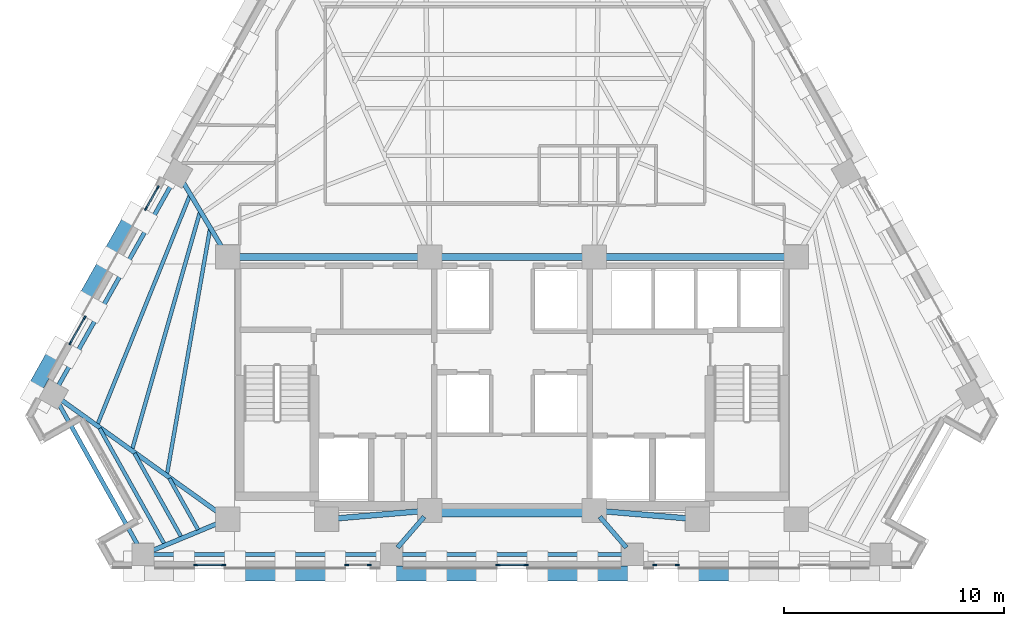
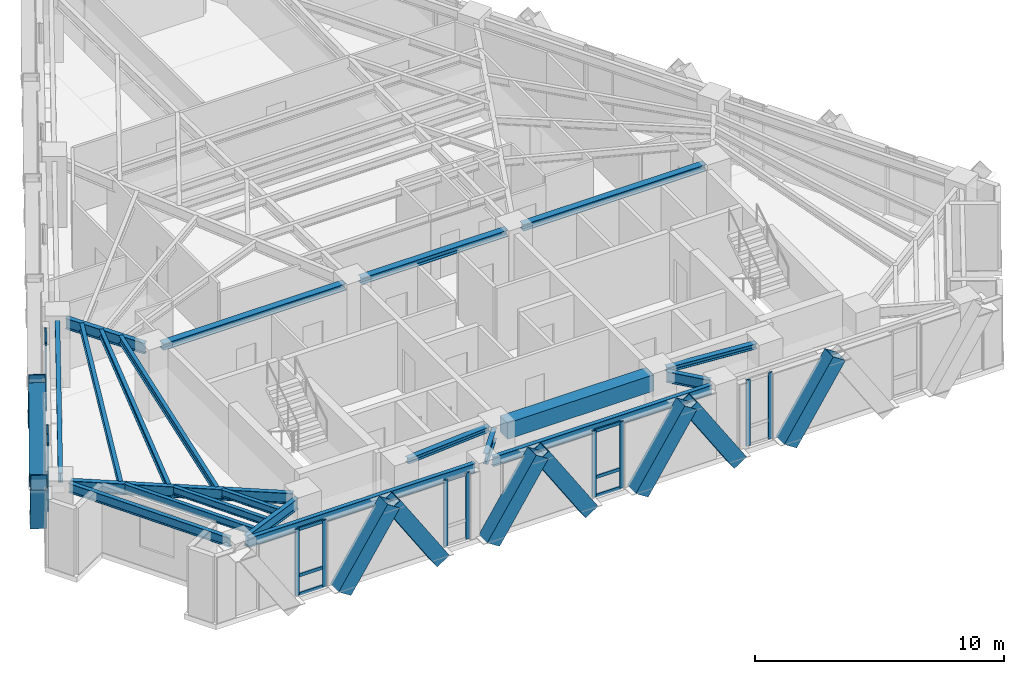
# One storey, part 2 of 13: 34 members, 21 beams, 6 elements without a shape of their own.
"""IFC4 building model written with IfcOpenShell, lengths in metres."""

import ifcopenshell
import ifcopenshell.guid

model = None  # the IFC model being written
_history = None  # IfcOwnerHistory: only IFC2X3 demands one
_inside = {}  # id of a spatial element -> (the spatial element, [elements in it])
_under = {}  # id of a project, library or spatial element -> (it, [spatial elements below it])
_declared = {}  # id of a project -> (the project, [libraries it declares])
_typed = {}  # id of a type object -> (the type object, [elements of that type])
_made_of = {}  # id of a material, layer set ... -> (it, [elements and type objects made of it])


def new_model(schema):
    """Start an empty IFC model of exactly this schema.

    Asked for "IFC4X3", IfcOpenShell would pick the latest addendum, in which some entities
    have other attributes; the version numbers below select the first issue.
    IFC2X3 requires an IfcOwnerHistory on every rooted entity: one is made here for all.
    """
    global model, _history
    if schema == "IFC4X3":
        model = ifcopenshell.file(schema_version=(4, 3, 0, 0))
    else:
        model = ifcopenshell.file(schema=schema)
    _inside.clear()
    _under.clear()
    _declared.clear()
    _typed.clear()
    _made_of.clear()
    _history = None
    if model.schema == "IFC2X3":
        org = make("IfcOrganization", Name="unknown")
        user = make(
            "IfcPersonAndOrganization",
            ThePerson=make("IfcPerson", FamilyName="unknown"),
            TheOrganization=org,
        )
        app = make(
            "IfcApplication",
            ApplicationDeveloper=org,
            Version="unknown",
            ApplicationFullName="unknown",
            ApplicationIdentifier="unknown",
        )
        _history = make(
            "IfcOwnerHistory",
            OwningUser=user,
            OwningApplication=app,
            ChangeAction="ADDED",
            CreationDate=0,
        )
    return model


def make(cls, **values):
    """One entity of the class cls with the attributes given. An attribute that is None is left unset."""
    return model.create_entity(
        cls, **{name: value for name, value in values.items() if value is not None}
    )


def rooted(cls, **values):
    """An entity with a GlobalId (a new one), such as an element, a storey or a relation."""
    return make(cls, GlobalId=ifcopenshell.guid.new(), OwnerHistory=_history, **values)


def si_unit(unit_type, name, prefix=None):
    """IfcSIUnit, for example si_unit("LENGTHUNIT", "METRE", prefix="MILLI")."""
    return make("IfcSIUnit", UnitType=unit_type, Prefix=prefix, Name=name)


def assignment(units):
    """IfcUnitAssignment: the units of a project."""
    return None if units is None else make("IfcUnitAssignment", Units=units)


def point(xyz):
    """IfcCartesianPoint."""
    return None if xyz is None else make("IfcCartesianPoint", Coordinates=xyz)


def direction(xyz):
    """IfcDirection."""
    return None if xyz is None else make("IfcDirection", DirectionRatios=xyz)


def frame(location, z_axis=None, x_axis=None):
    """IfcAxis2Placement3D, a coordinate frame: its origin and axes. An axis left out is left unset."""
    return make(
        "IfcAxis2Placement3D",
        Location=point(location),
        Axis=direction(z_axis),
        RefDirection=direction(x_axis),
    )


def frame_2d(location, x_axis=None):
    """IfcAxis2Placement2D, a coordinate frame in the plane: its origin and x axis."""
    return make(
        "IfcAxis2Placement2D", Location=point(location), RefDirection=direction(x_axis)
    )


def origin():
    """The frame at (0, 0, 0) with its axes left unset."""
    return frame((0.0, 0.0, 0.0))


def origin_2d():
    """The frame at (0, 0) in the plane with its x axis left unset."""
    return frame_2d((0.0, 0.0))


def place(relative_to, where):
    """IfcLocalPlacement: puts the frame where relative to a parent placement (None: the world)."""
    return make(
        "IfcLocalPlacement", PlacementRelTo=relative_to, RelativePlacement=where
    )


def context(
    kind, dimensions, precision=None, world=None, true_north=None, identifier=None
):
    """IfcGeometricRepresentationContext, for example the 3D "Model" context."""
    return make(
        "IfcGeometricRepresentationContext",
        ContextIdentifier=identifier,
        ContextType=kind,
        CoordinateSpaceDimension=dimensions,
        Precision=precision,
        WorldCoordinateSystem=world,
        TrueNorth=true_north,
    )


def subcontext(parent, identifier, kind, view, scale=None):
    """IfcGeometricRepresentationSubContext, for example "Body" below "Model"."""
    return make(
        "IfcGeometricRepresentationSubContext",
        ContextIdentifier=identifier,
        ContextType=kind,
        ParentContext=parent,
        TargetScale=scale,
        TargetView=view,
    )


def project(units=None, contexts=None):
    """IfcProject with its units and contexts."""
    return rooted(
        "IfcProject",
        Name="project",
        RepresentationContexts=contexts,
        UnitsInContext=assignment(units),
    )


def spatial(cls, under=None, at=None, **own):
    """A site, building, storey or space (cls), placed at a placement, below another one or the project."""
    s = rooted(cls, ObjectPlacement=at, **own)
    if under is not None:
        _under.setdefault(under.id(), (under, []))[1].append(s)
    return s


def profile(cls, at=None, kind="AREA", **sizes):
    """A parametric profile (cls). Its sizes go by their IFC names, for example OverallWidth=200.0."""
    return make(cls, ProfileType=kind, Position=at, **sizes)


def rectangle(**sizes):
    """IfcRectangleProfileDef."""
    return profile("IfcRectangleProfileDef", **sizes)


def hollow_rectangle(**sizes):
    """IfcRectangleHollowProfileDef."""
    return profile("IfcRectangleHollowProfileDef", **sizes)


def i_section(**sizes):
    """IfcIShapeProfileDef."""
    return profile("IfcIShapeProfileDef", **sizes)


def extrude(swept, where, along, depth):
    """IfcExtrudedAreaSolid: the profile swept, set in the frame where, extruded along a direction by depth."""
    return make(
        "IfcExtrudedAreaSolid",
        SweptArea=swept,
        Position=where,
        ExtrudedDirection=direction(along),
        Depth=depth,
    )


def shape(context_of_items, identifier, shape_type, items):
    """IfcShapeRepresentation: the items that make up one representation, for example the "Body"."""
    return make(
        "IfcShapeRepresentation",
        ContextOfItems=context_of_items,
        RepresentationIdentifier=identifier,
        RepresentationType=shape_type,
        Items=items,
    )


def material(Name=None, Category=None):
    """IfcMaterial."""
    return make("IfcMaterial", Name=Name, Category=Category)


def material_profile(
    of_material, cross_section, Name=None, Category=None, Priority=None
):
    """IfcMaterialProfile: a cross section and its material."""
    return make(
        "IfcMaterialProfile",
        Name=Name,
        Material=of_material,
        Profile=cross_section,
        Priority=Priority,
        Category=Category,
    )


def profile_set(profiles, Name=None, composite=None):
    """IfcMaterialProfileSet."""
    return make(
        "IfcMaterialProfileSet",
        Name=Name,
        MaterialProfiles=profiles,
        CompositeProfile=composite,
    )


def made_of(thing, what):
    """Note that an element or type object is made of a material, layer set ...; save() writes the relation."""
    if what is not None:
        _made_of.setdefault(what.id(), (what, []))[1].append(thing)
    return thing


def type_object(cls, material=None, **own):
    """A type object (cls), such as IfcWallType, which elements share."""
    return made_of(rooted(cls, **own), material)


def element(
    cls,
    number,
    at=None,
    inside=None,
    cuts=None,
    type_object=None,
    material=None,
    context=None,
    identifier="Body",
    shape_type=None,
    held_by="IfcProductDefinitionShape",
    body=None,
    shapes=None,
    **own,
):
    """One element of the class cls, such as IfcWall. Its Tag is "e" and its number.

    at: its placement. inside: the storey or other place that contains it. cuts: it is an
    opening in that element (IfcRelVoidsElement). A single representation is given by context,
    identifier, shape_type and body (its items); several are given by shapes. held_by: the class
    of the entity that holds the representations. save() writes the other relations.
    """
    e = rooted(cls, Tag="e%d" % number, ObjectPlacement=at, **own)
    if body is not None:
        shapes = [shape(context, identifier, shape_type, body)]
    if shapes is not None:
        e.Representation = make(held_by, Representations=shapes)
    if inside is not None:
        _inside.setdefault(inside.id(), (inside, []))[1].append(e)
    if cuts is not None:
        rooted(
            "IfcRelVoidsElement", RelatingBuildingElement=cuts, RelatedOpeningElement=e
        )
    if type_object is not None:
        _typed.setdefault(type_object.id(), (type_object, []))[1].append(e)
    return made_of(e, material)


def aggregate(whole, parts):
    """IfcRelAggregates: a whole, such as a stair, and the parts it consists of."""
    return rooted("IfcRelAggregates", RelatingObject=whole, RelatedObjects=parts)


def save(model, path):
    """Write the relations noted so far, then the file.

    IfcRelAggregates (storeys below a building ...), IfcRelContainedInSpatialStructure (elements
    in a storey), IfcRelDefinesByType, IfcRelAssociatesMaterial and IfcRelDeclares: one each for
    every whole, place, type object, material and project.
    """
    for whole, parts in _under.values():
        aggregate(whole, parts)
    for where, things in _inside.values():
        rooted(
            "IfcRelContainedInSpatialStructure",
            RelatedElements=things,
            RelatingStructure=where,
        )
    for kind, things in _typed.values():
        rooted("IfcRelDefinesByType", RelatedObjects=things, RelatingType=kind)
    for what, things in _made_of.values():
        rooted("IfcRelAssociatesMaterial", RelatedObjects=things, RelatingMaterial=what)
    for by, libraries in _declared.values():
        rooted("IfcRelDeclares", RelatingContext=by, RelatedDefinitions=libraries)
    model.write(path)


model = new_model("IFC4")

# Units and contexts
model_context = context("Model", 3, precision=1e-05, world=origin(), true_north=direction((0.0, 1.0)))
body_context = subcontext(model_context, "Body", "Model", "MODEL_VIEW")
ifc_project = project(units=[si_unit("LENGTHUNIT", "METRE"), si_unit("AREAUNIT", "SQUARE_METRE"), si_unit("VOLUMEUNIT", "CUBIC_METRE"), si_unit("PLANEANGLEUNIT", "RADIAN"), si_unit("MASSUNIT", "GRAM", prefix="KILO")], contexts=[model_context])

# Site, building, storey
site_placement = place(None, origin())
site = spatial("IfcSite", under=ifc_project, at=site_placement, CompositionType="ELEMENT")
building_placement = place(site_placement, origin())
building = spatial("IfcBuilding", under=site, at=building_placement, Name="Quenlor Broadcast Tower", CompositionType="ELEMENT")
storey_placement = place(building_placement, frame((0.0, 0.0, 158.0)))
storey = spatial("IfcBuildingStorey", under=building, at=storey_placement, Name="L43", CompositionType="ELEMENT", Elevation=158.0)

# Curtain wall, members
ifc_material_1 = material(Name="Architectural Terracotta and Low-E Glazing", Category="masonry")
curtain_wall_type = type_object("IfcCurtainWallType", Name="Unitised Terracotta Curtain Wall System Z3", PredefinedType="NOTDEFINED", material=ifc_material_1)
curtain_wall_1_placement = place(storey_placement, origin())
curtain_wall_1 = element("IfcCurtainWall", 1, at=curtain_wall_1_placement, inside=storey, type_object=curtain_wall_type, Name="L43 Curtain Wall CW3 (L43-SA-G2)", PredefinedType="NOTDEFINED")
ifc_material_2 = material(Name="Aluminium 6063-T6", Category="aluminium")
ifc_material_profile_1 = material_profile(ifc_material_2, rectangle(XDim=0.070068359375, YDim=0.18994140625, at=origin_2d()))
ifc_profile_set_1 = profile_set([ifc_material_profile_1], Name="Aluminium 6063-T6 MULL70x190")
member_type_1 = type_object("IfcMemberType", Name="CW3 Aluminium Mullion MULL_CW3", PredefinedType="MULLION", material=ifc_profile_set_1)
member_1_placement = place(storey_placement, frame((7.52197265625, -18.824951171875, 0.0), z_axis=(0.0, 0.0, 1.0), x_axis=(0.0, -1.0, 0.0)))
member_1 = element("IfcMember", 2, at=member_1_placement, type_object=member_type_1, Name="CW3 mullion 1", PredefinedType="MULLION", context=body_context, shape_type="SweptSolid", body=[
    extrude(rectangle(XDim=0.070068359375, YDim=0.18994140625, at=origin_2d()), origin(), (0.0, 0.0, 1.0), 3.25),
])
member_2_placement = place(storey_placement, frame((6.5009765625, -18.824951171875, 0.0), z_axis=(0.0, 0.0, 1.0), x_axis=(0.0, -1.0, 0.0)))
member_2 = element("IfcMember", 3, at=member_2_placement, type_object=member_type_1, Name="CW3 mullion 2", PredefinedType="MULLION", context=body_context, shape_type="SweptSolid", body=[
    extrude(rectangle(XDim=0.070068359375, YDim=0.18994140625, at=origin_2d()), origin(), (0.0, 0.0, 1.0), 3.25),
])
aggregate(curtain_wall_1, [member_1, member_2])

curtain_wall_2_placement = place(storey_placement, origin())
curtain_wall_2 = element("IfcCurtainWall", 4, at=curtain_wall_2_placement, inside=storey, type_object=curtain_wall_type, Name="L43 Curtain Wall CW3 (L43-SC-G1)", PredefinedType="NOTDEFINED")
member_3_placement = place(storey_placement, frame((-6.5009765625, -18.824951171875, 0.0), z_axis=(0.0, 0.0, 1.0), x_axis=(0.0, -1.0, 0.0)))
member_3 = element("IfcMember", 5, at=member_3_placement, type_object=member_type_1, Name="CW3 mullion 1", PredefinedType="MULLION", context=body_context, shape_type="SweptSolid", body=[
    extrude(rectangle(XDim=0.070068359375, YDim=0.18994140625, at=origin_2d()), origin(), (0.0, 0.0, 1.0), 3.25),
])
member_4_placement = place(storey_placement, frame((-7.52197265625, -18.824951171875, 0.0), z_axis=(0.0, 0.0, 1.0), x_axis=(0.0, -1.0, 0.0)))
member_4 = element("IfcMember", 6, at=member_4_placement, type_object=member_type_1, Name="CW3 mullion 2", PredefinedType="MULLION", context=body_context, shape_type="SweptSolid", body=[
    extrude(rectangle(XDim=0.070068359375, YDim=0.18994140625, at=origin_2d()), origin(), (0.0, 0.0, 1.0), 3.25),
])
aggregate(curtain_wall_2, [member_3, member_4])

curtain_wall_3_placement = place(storey_placement, origin())
curtain_wall_3 = element("IfcCurtainWall", 7, at=curtain_wall_3_placement, inside=storey, type_object=curtain_wall_type, Name="L43 Curtain Wall CW3 (L43-SC-G2)", PredefinedType="NOTDEFINED")
member_5_placement = place(storey_placement, frame((-13.14208984375, -18.824951171875, 0.0), z_axis=(0.0, 0.0, 1.0), x_axis=(0.0, -1.0, 0.0)))
member_5 = element("IfcMember", 8, at=member_5_placement, type_object=member_type_1, Name="CW3 mullion 1", PredefinedType="MULLION", context=body_context, shape_type="SweptSolid", body=[
    extrude(rectangle(XDim=0.070068359375, YDim=0.18994140625, at=origin_2d()), origin(), (0.0, 0.0, 1.0), 3.25),
])
member_6_placement = place(storey_placement, frame((-14.409912109375, -18.824951171875, 0.0), z_axis=(0.0, 0.0, 1.0), x_axis=(0.0, -1.0, 0.0)))
member_6 = element("IfcMember", 9, at=member_6_placement, type_object=member_type_1, Name="CW3 mullion 2", PredefinedType="MULLION", context=body_context, shape_type="SweptSolid", body=[
    extrude(rectangle(XDim=0.070068359375, YDim=0.18994140625, at=origin_2d()), origin(), (0.0, 0.0, 1.0), 3.25),
])

curtain_wall_4_placement = place(storey_placement, origin())
curtain_wall_4 = element("IfcCurtainWall", 10, at=curtain_wall_4_placement, inside=storey, type_object=curtain_wall_type, Name="L43 Curtain Wall CW3 (L43-S-G1)", PredefinedType="NOTDEFINED")
member_7_placement = place(storey_placement, frame((0.634033203125, -18.824951171875, 0.0), z_axis=(0.0, 0.0, 1.0), x_axis=(0.0, -1.0, 0.0)))
member_7 = element("IfcMember", 11, at=member_7_placement, type_object=member_type_1, Name="CW3 mullion 1", PredefinedType="MULLION", context=body_context, shape_type="SweptSolid", body=[
    extrude(rectangle(XDim=0.070068359375, YDim=0.18994140625, at=origin_2d()), origin(), (0.0, 0.0, 1.0), 3.25),
])
member_8_placement = place(storey_placement, frame((-0.634033203125, -18.824951171875, 0.0), z_axis=(0.0, 0.0, 1.0), x_axis=(0.0, -1.0, 0.0)))
member_8 = element("IfcMember", 12, at=member_8_placement, type_object=member_type_1, Name="CW3 mullion 2", PredefinedType="MULLION", context=body_context, shape_type="SweptSolid", body=[
    extrude(rectangle(XDim=0.070068359375, YDim=0.18994140625, at=origin_2d()), origin(), (0.0, 0.0, 1.0), 3.25),
])

curtain_wall_5_placement = place(storey_placement, origin())
curtain_wall_5 = element("IfcCurtainWall", 13, at=curtain_wall_5_placement, inside=storey, type_object=curtain_wall_type, Name="L43 Curtain Wall CW3 (L43-NWA-G1)", PredefinedType="NOTDEFINED")
member_9_placement = place(storey_placement, frame((-20.1171875, -8.720703125, 0.0), z_axis=(0.0, 0.0, 1.0), x_axis=(-0.871575537123, 0.490261239636, 0.0)))
member_9 = element("IfcMember", 14, at=member_9_placement, type_object=member_type_1, Name="CW3 mullion 1", PredefinedType="MULLION", context=body_context, shape_type="SweptSolid", body=[
    extrude(rectangle(XDim=0.070068359375, YDim=0.18994140625, at=origin_2d()), origin(), (0.0, 0.0, 1.0), 3.25),
])
member_10_placement = place(storey_placement, frame((-19.47021484375, -7.570556640625, 0.0), z_axis=(0.0, 0.0, 1.0), x_axis=(-0.871575537123, 0.490261239636, 0.0)))
member_10 = element("IfcMember", 15, at=member_10_placement, type_object=member_type_1, Name="CW3 mullion 2", PredefinedType="MULLION", context=body_context, shape_type="SweptSolid", body=[
    extrude(rectangle(XDim=0.070068359375, YDim=0.18994140625, at=origin_2d()), origin(), (0.0, 0.0, 1.0), 3.25),
])

curtain_wall_6_placement = place(storey_placement, origin())
curtain_wall_6 = element("IfcCurtainWall", 16, at=curtain_wall_6_placement, inside=storey, type_object=curtain_wall_type, Name="L43 Curtain Wall CW3 (L43-NWA-G2)", PredefinedType="NOTDEFINED")
member_11_placement = place(storey_placement, frame((-16.6689453125, -2.5908203125, 0.0), z_axis=(0.0, 0.0, 1.0), x_axis=(-0.871580169247, 0.490253004657, 0.0)))
member_11 = element("IfcMember", 17, at=member_11_placement, type_object=member_type_1, Name="CW3 mullion 1", PredefinedType="MULLION", context=body_context, shape_type="SweptSolid", body=[
    extrude(rectangle(XDim=0.070068359375, YDim=0.18994140625, at=origin_2d()), origin(), (0.0, 0.0, 1.0), 3.25),
])
member_12_placement = place(storey_placement, frame((-16.137939453125, -1.646728515625, 0.0), z_axis=(0.0, 0.0, 1.0), x_axis=(-0.871580169247, 0.490253004657, 0.0)))
member_12 = element("IfcMember", 18, at=member_12_placement, type_object=member_type_1, Name="CW3 mullion 2", PredefinedType="MULLION", context=body_context, shape_type="SweptSolid", body=[
    extrude(rectangle(XDim=0.070068359375, YDim=0.18994140625, at=origin_2d()), origin(), (0.0, 0.0, 1.0), 3.25),
])

# Member
ifc_material_3 = material(Name="Aluminium 6063-T6", Category="aluminium")
ifc_material_profile_2 = material_profile(ifc_material_3, rectangle(XDim=0.070068359375, YDim=0.155029296875, at=origin_2d()))
ifc_profile_set_2 = profile_set([ifc_material_profile_2], Name="Aluminium 6063-T6 TRAN70x155")
member_type_2 = type_object("IfcMemberType", Name="CW3 Aluminium Transom TRAN_CW3", PredefinedType="USERDEFINED", material=ifc_profile_set_2)
member_13_placement = place(storey_placement, frame((-13.177001953125, -18.824951171875, 0.034912109375), z_axis=(-1.0, 0.0, 0.0), x_axis=(0.0, -1.0, 0.0)))
member_13 = element("IfcMember", 19, at=member_13_placement, type_object=member_type_2, Name="CW3 transom 1.1", ObjectType="TRANSOM", PredefinedType="USERDEFINED", context=body_context, shape_type="SweptSolid", body=[
    extrude(rectangle(XDim=0.070068359375, YDim=0.155029296875, at=origin_2d()), origin(), (0.0, 0.0, 1.0), 1.197998046875),
])

member_14_placement = place(storey_placement, frame((-13.177001953125, -18.824951171875, 0.949951171875), z_axis=(-1.0, 0.0, 0.0), x_axis=(0.0, -1.0, 0.0)))
member_14 = element("IfcMember", 20, at=member_14_placement, type_object=member_type_2, Name="CW3 transom 1.2", ObjectType="TRANSOM", PredefinedType="USERDEFINED", context=body_context, shape_type="SweptSolid", body=[
    extrude(rectangle(XDim=0.070068359375, YDim=0.155029296875, at=origin_2d()), origin(), (0.0, 0.0, 1.0), 1.197998046875),
])

member_15_placement = place(storey_placement, frame((-13.177001953125, -18.824951171875, 3.215087890625), z_axis=(-1.0, 0.0, 0.0), x_axis=(0.0, -1.0, 0.0)))
member_15 = element("IfcMember", 21, at=member_15_placement, type_object=member_type_2, Name="CW3 transom 1.3", ObjectType="TRANSOM", PredefinedType="USERDEFINED", context=body_context, shape_type="SweptSolid", body=[
    extrude(rectangle(XDim=0.070068359375, YDim=0.155029296875, at=origin_2d()), origin(), (0.0, 0.0, 1.0), 1.197998046875),
])

aggregate(curtain_wall_3, [member_5, member_6, member_13, member_14, member_15])

member_16_placement = place(storey_placement, frame((0.59912109375, -18.824951171875, 0.034912109375), z_axis=(-1.0, 0.0, 0.0), x_axis=(0.0, -1.0, 0.0)))
member_16 = element("IfcMember", 22, at=member_16_placement, type_object=member_type_2, Name="CW3 transom 1.1", ObjectType="TRANSOM", PredefinedType="USERDEFINED", context=body_context, shape_type="SweptSolid", body=[
    extrude(rectangle(XDim=0.070068359375, YDim=0.155029296875, at=origin_2d()), origin(), (0.0, 0.0, 1.0), 1.1982421875),
])

member_17_placement = place(storey_placement, frame((0.59912109375, -18.824951171875, 0.949951171875), z_axis=(-1.0, 0.0, 0.0), x_axis=(0.0, -1.0, 0.0)))
member_17 = element("IfcMember", 23, at=member_17_placement, type_object=member_type_2, Name="CW3 transom 1.2", ObjectType="TRANSOM", PredefinedType="USERDEFINED", context=body_context, shape_type="SweptSolid", body=[
    extrude(rectangle(XDim=0.070068359375, YDim=0.155029296875, at=origin_2d()), origin(), (0.0, 0.0, 1.0), 1.1982421875),
])

member_18_placement = place(storey_placement, frame((0.59912109375, -18.824951171875, 3.215087890625), z_axis=(-1.0, 0.0, 0.0), x_axis=(0.0, -1.0, 0.0)))
member_18 = element("IfcMember", 24, at=member_18_placement, type_object=member_type_2, Name="CW3 transom 1.3", ObjectType="TRANSOM", PredefinedType="USERDEFINED", context=body_context, shape_type="SweptSolid", body=[
    extrude(rectangle(XDim=0.070068359375, YDim=0.155029296875, at=origin_2d()), origin(), (0.0, 0.0, 1.0), 1.1982421875),
])

aggregate(curtain_wall_4, [member_7, member_8, member_16, member_17, member_18])

member_19_placement = place(storey_placement, frame((-20.10009765625, -8.690185546875, 0.034912109375), z_axis=(0.490363266059, 0.871518139398, 0.0), x_axis=(-0.871518139398, 0.490363266059, 0.0)))
member_19 = element("IfcMember", 25, at=member_19_placement, type_object=member_type_2, Name="CW3 transom 1.1", ObjectType="TRANSOM", PredefinedType="USERDEFINED", context=body_context, shape_type="SweptSolid", body=[
    extrude(rectangle(XDim=0.070068359375, YDim=0.155029296875, at=origin_2d()), origin(), (0.0, 0.0, 1.0), 1.249755859375),
])

member_20_placement = place(storey_placement, frame((-20.10009765625, -8.690185546875, 0.949951171875), z_axis=(0.490363266059, 0.871518139398, 0.0), x_axis=(-0.871518139398, 0.490363266059, 0.0)))
member_20 = element("IfcMember", 26, at=member_20_placement, type_object=member_type_2, Name="CW3 transom 1.2", ObjectType="TRANSOM", PredefinedType="USERDEFINED", context=body_context, shape_type="SweptSolid", body=[
    extrude(rectangle(XDim=0.070068359375, YDim=0.155029296875, at=origin_2d()), origin(), (0.0, 0.0, 1.0), 1.249755859375),
])

member_21_placement = place(storey_placement, frame((-20.10009765625, -8.690185546875, 3.215087890625), z_axis=(0.490363266059, 0.871518139398, 0.0), x_axis=(-0.871518139398, 0.490363266059, 0.0)))
member_21 = element("IfcMember", 27, at=member_21_placement, type_object=member_type_2, Name="CW3 transom 1.3", ObjectType="TRANSOM", PredefinedType="USERDEFINED", context=body_context, shape_type="SweptSolid", body=[
    extrude(rectangle(XDim=0.070068359375, YDim=0.155029296875, at=origin_2d()), origin(), (0.0, 0.0, 1.0), 1.249755859375),
])

aggregate(curtain_wall_5, [member_9, member_10, member_19, member_20, member_21])

member_22_placement = place(storey_placement, frame((-16.65185546875, -2.560302734375, 0.034912109375), z_axis=(0.49015826449, 0.871633452635, 0.0), x_axis=(-0.871633452635, 0.49015826449, 0.0)))
member_22 = element("IfcMember", 28, at=member_22_placement, type_object=member_type_2, Name="CW3 transom 1.1", ObjectType="TRANSOM", PredefinedType="USERDEFINED", context=body_context, shape_type="SweptSolid", body=[
    extrude(rectangle(XDim=0.070068359375, YDim=0.155029296875, at=origin_2d()), origin(), (0.0, 0.0, 1.0), 1.01318359375),
])

member_23_placement = place(storey_placement, frame((-16.65185546875, -2.560302734375, 0.949951171875), z_axis=(0.49015826449, 0.871633452635, 0.0), x_axis=(-0.871633452635, 0.49015826449, 0.0)))
member_23 = element("IfcMember", 29, at=member_23_placement, type_object=member_type_2, Name="CW3 transom 1.2", ObjectType="TRANSOM", PredefinedType="USERDEFINED", context=body_context, shape_type="SweptSolid", body=[
    extrude(rectangle(XDim=0.070068359375, YDim=0.155029296875, at=origin_2d()), origin(), (0.0, 0.0, 1.0), 1.01318359375),
])

member_24_placement = place(storey_placement, frame((-16.65185546875, -2.560302734375, 3.215087890625), z_axis=(0.49015826449, 0.871633452635, 0.0), x_axis=(-0.871633452635, 0.49015826449, 0.0)))
member_24 = element("IfcMember", 30, at=member_24_placement, type_object=member_type_2, Name="CW3 transom 1.3", ObjectType="TRANSOM", PredefinedType="USERDEFINED", context=body_context, shape_type="SweptSolid", body=[
    extrude(rectangle(XDim=0.070068359375, YDim=0.155029296875, at=origin_2d()), origin(), (0.0, 0.0, 1.0), 1.01318359375),
])

aggregate(curtain_wall_6, [member_11, member_12, member_22, member_23, member_24])

# Beams
ifc_material_4 = material(Name="Concrete C50/60", Category="concrete")
ifc_material_profile_3 = material_profile(ifc_material_4, rectangle(XDim=0.60009765625, YDim=0.800048828125, at=origin_2d()))
ifc_profile_set_3 = profile_set([ifc_material_profile_3], Name="Concrete C50/60 RCB600x800")
beam_type_1 = type_object("IfcBeamType", Name="Core Coupling Beam Concrete C50/60 600x800", PredefinedType="BEAM", material=ifc_profile_set_3)
beam_1_placement = place(storey_placement, frame((-3.389892578125, -16.35009765625, 2.85009765625), z_axis=(1.0, 0.0, 0.0), x_axis=(0.0, 1.0, 0.0)))
element("IfcBeam", 31, at=beam_1_placement, inside=storey, type_object=beam_type_1, Name="L43 Core Coupling Beam 6", PredefinedType="BEAM", context=body_context, shape_type="SweptSolid", body=[
    extrude(rectangle(XDim=0.60009765625, YDim=0.800048828125, at=origin_2d()), origin(), (0.0, 0.0, 1.0), 6.77978515625),
])
ifc_material_5 = material(Name="Steel S355", Category="steel")
ifc_material_profile_4 = material_profile(ifc_material_5, i_section(OverallWidth=0.304931640625, OverallDepth=0.30810546875, WebThickness=0.010009765625, FlangeThickness=0.015380859375, FilletRadius=0.0166015625, at=origin_2d()))
ifc_profile_set_4 = profile_set([ifc_material_profile_4], Name="Steel S355 310UC96.8")
beam_type_2 = type_object("IfcBeamType", Name="Core Header Beam Steel S355 310UC96.8", PredefinedType="BEAM", material=ifc_profile_set_4)
beam_2_placement = place(storey_placement, frame((-3.389892578125, -4.800048828125, 3.095947265625), z_axis=(1.0, 0.0, 0.0), x_axis=(0.0, 1.0, 0.0)))
element("IfcBeam", 32, at=beam_2_placement, inside=storey, type_object=beam_type_2, Name="L43 Core Header Beam 2", PredefinedType="BEAM", context=body_context, shape_type="SweptSolid", body=[
    extrude(i_section(OverallWidth=0.304931640625, OverallDepth=0.30810546875, WebThickness=0.010009765625, FlangeThickness=0.015380859375, FilletRadius=0.0166015625, at=origin_2d()), origin(), (0.0, 0.0, 1.0), 6.77978515625),
])
ifc_material_6 = material(Name="Steel S355", Category="steel")
ifc_material_profile_5 = material_profile(ifc_material_6, i_section(OverallWidth=0.25390625, OverallDepth=0.25390625, WebThickness=0.008544921875, FlangeThickness=0.01416015625, FilletRadius=0.013916015625, at=origin_2d()))
ifc_profile_set_5 = profile_set([ifc_material_profile_5], Name="Steel S355 250UC72.9")
beam_type_3 = type_object("IfcBeamType", Name="Core Opening Lintel Beam Steel S355 250UC72.9", PredefinedType="LINTEL", material=ifc_profile_set_5)
for number, where, z_axis, x_axis, name in (
    (33, (-8.09130859375, -16.719482421875, 3.123046875), (0.996399763903, 0.084779186679, 0.0), (-0.084779186679, 0.996399763903, 0.0), "L43 Core Opening Lintel Beam 4"),
    (34, (4.108642578125, -16.380615234375, 3.123046875), (0.996399763903, -0.084779186679, 0.0), (0.084779186679, 0.996399763903, 0.0), "L43 Core Opening Lintel Beam 5"),
):
    element("IfcBeam", number, at=place(storey_placement, frame(where, z_axis=z_axis, x_axis=x_axis)), inside=storey, type_object=beam_type_3, Name=name, PredefinedType="LINTEL", context=body_context, shape_type="SweptSolid", body=[
        extrude(i_section(OverallWidth=0.25390625, OverallDepth=0.25390625, WebThickness=0.008544921875, FlangeThickness=0.01416015625, FilletRadius=0.013916015625, at=origin_2d()), origin(), (0.0, 0.0, 1.0), 3.9970703125),
    ])
ifc_material_7 = material(Name="Steel S355", Category="steel")
ifc_material_profile_6 = material_profile(ifc_material_7, i_section(OverallWidth=0.306884765625, OverallDepth=0.314697265625, WebThickness=0.011962890625, FlangeThickness=0.018798828125, FilletRadius=0.0166015625, at=origin_2d()))
ifc_profile_set_6 = profile_set([ifc_material_profile_6], Name="Steel S355 310UC118")
beam_type_4 = type_object("IfcBeamType", Name="Core Tie Beam Steel S355 310UC118", PredefinedType="BEAM", material=ifc_profile_set_6)
for number, where, z_axis, x_axis, name in (
    (35, (-12.590087890625, -4.800048828125, 3.0927734375), (1.0, 0.0, 0.0), (0.0, 1.0, 0.0), "L43 Core Tie Beam 1"),
    (36, (4.110107421875, -4.800048828125, 3.0927734375), (1.0, 0.0, 0.0), (0.0, 1.0, 0.0), "L43 Core Tie Beam 3"),
):
    element("IfcBeam", number, at=place(storey_placement, frame(where, z_axis=z_axis, x_axis=x_axis)), inside=storey, type_object=beam_type_4, Name=name, PredefinedType="BEAM", context=body_context, shape_type="SweptSolid", body=[
        extrude(i_section(OverallWidth=0.306884765625, OverallDepth=0.314697265625, WebThickness=0.011962890625, FlangeThickness=0.018798828125, FilletRadius=0.0166015625, at=origin_2d()), origin(), (0.0, 0.0, 1.0), 8.47998046875),
    ])

# Members
ifc_material_8 = material(Name="Steel S355", Category="steel")
ifc_material_profile_7 = material_profile(ifc_material_8, hollow_rectangle(XDim=0.679931640625, YDim=0.679931640625, WallThickness=0.02490234375, at=origin_2d()))
ifc_profile_set_7 = profile_set([ifc_material_profile_7], Name="Steel S355 RHS680x680x25")
member_type_3 = type_object("IfcMemberType", Name="Perimeter Diagonal Lattice Brace Z3-Z4 Steel S355 RHS680x25", PredefinedType="BRACE", material=ifc_profile_set_7)
member_25_placement = place(storey_placement, frame((5.726318359375, -19.219970703125, -0.1201171875), z_axis=(-0.543901560697, 0.0, 0.839149028643), x_axis=(0.0, -1.0, 0.0)))
element("IfcMember", 37, at=member_25_placement, inside=storey, type_object=member_type_3, Name="L43 Perimeter Diamond Lattice S-C2S", PredefinedType="BRACE", context=body_context, shape_type="SweptSolid", body=[
    extrude(hollow_rectangle(XDim=0.679931640625, YDim=0.679931640625, WallThickness=0.02490234375, at=origin_2d()), origin(), (0.0, 0.0, 1.0), 4.1708984375),
])
for number, where, z_axis, x_axis, name in (
    (38, (8.0498046875, -19.219970703125, -0.1201171875), (0.543860340502, 0.0, 0.839175744424), (0.0, 1.0, 0.0), "L43 Perimeter Diamond Lattice S-C2B"),
    (39, (-1.161865234375, -19.219970703125, -0.1201171875), (-0.543860340502, 0.0, 0.839175744424), (0.0, -1.0, 0.0), "L43 Perimeter Diamond Lattice S-C3S"),
    (40, (1.161865234375, -19.219970703125, -0.1201171875), (0.543860340502, 0.0, 0.839175744424), (0.0, 1.0, 0.0), "L43 Perimeter Diamond Lattice S-C3B"),
    (41, (-8.0498046875, -19.219970703125, -0.1201171875), (-0.543860340502, 0.0, 0.839175744424), (0.0, -1.0, 0.0), "L43 Perimeter Diamond Lattice S-C4S"),
):
    element("IfcMember", number, at=place(storey_placement, frame(where, z_axis=z_axis, x_axis=x_axis)), inside=storey, type_object=member_type_3, Name=name, PredefinedType="BRACE", context=body_context, shape_type="SweptSolid", body=[
        extrude(hollow_rectangle(XDim=0.679931640625, YDim=0.679931640625, WallThickness=0.02490234375, at=origin_2d()), origin(), (0.0, 0.0, 1.0), 4.170654296875),
    ])
for number, where, z_axis, x_axis, name in (
    (42, (-5.726318359375, -19.219970703125, -0.1201171875), (0.543901560697, 0.0, 0.839149028643), (0.0, 1.0, 0.0), "L43 Perimeter Diamond Lattice S-C4B"),
    (43, (-12.6142578125, -19.219970703125, -0.1201171875), (0.543901560697, 0.0, 0.839149028643), (0.0, 1.0, 0.0), "L43 Perimeter Diamond Lattice S-C5B"),
):
    element("IfcMember", number, at=place(storey_placement, frame(where, z_axis=z_axis, x_axis=x_axis)), inside=storey, type_object=member_type_3, Name=name, PredefinedType="BRACE", context=body_context, shape_type="SweptSolid", body=[
        extrude(hollow_rectangle(XDim=0.679931640625, YDim=0.679931640625, WallThickness=0.02490234375, at=origin_2d()), origin(), (0.0, 0.0, 1.0), 4.1708984375),
    ])
for number, where, z_axis, x_axis, name in (
    (44, (-19.556396484375, -6.918212890625, -0.1201171875), (0.2705491942, 0.481008661973, 0.833926735766), (-0.871589611547, 0.490236217596, 0.0), "L43 Perimeter Diamond Lattice NW-C1S"),
    (45, (-20.719482421875, -8.98583984375, -0.1201171875), (-0.2705491942, -0.481008661973, 0.833926735766), (0.871589611547, -0.490236217596, 0.0), "L43 Perimeter Diamond Lattice NW-C1B"),
    (46, (-17.271484375, -2.85595703125, -0.1201171875), (-0.2705491942, -0.481008661973, 0.833926735766), (0.871589611547, -0.490236217596, 0.0), "L43 Perimeter Diamond Lattice NW-C2B"),
):
    element("IfcMember", number, at=place(storey_placement, frame(where, z_axis=z_axis, x_axis=x_axis)), inside=storey, type_object=member_type_3, Name=name, PredefinedType="BRACE", context=body_context, shape_type="SweptSolid", body=[
        extrude(hollow_rectangle(XDim=0.679931640625, YDim=0.679931640625, WallThickness=0.02490234375, at=origin_2d()), origin(), (0.0, 0.0, 1.0), 4.197021484375),
    ])

# Beams
ifc_material_9 = material(Name="Steel S355", Category="steel")
ifc_material_profile_8 = material_profile(ifc_material_9, i_section(OverallWidth=0.19091796875, OverallDepth=0.46044921875, WebThickness=0.010009765625, FlangeThickness=0.01611328125, FilletRadius=0.011474609375, at=origin_2d()))
ifc_profile_set_8 = profile_set([ifc_material_profile_8], Name="Steel S355 460UB82.1")
beam_type_5 = type_object("IfcBeamType", Name="Perimeter Spandrel Beam Z3 Steel S355 460UB82.1", PredefinedType="SPANDREL", material=ifc_profile_set_8)
beam_3_placement = place(storey_placement, frame((-16.3984375, -18.35009765625, 3.019775390625), z_axis=(1.0, 0.0, 0.0), x_axis=(0.0, 1.0, 0.0)))
element("IfcBeam", 47, at=beam_3_placement, inside=storey, type_object=beam_type_5, Name="L43 Spandrel Beam S1-S2", PredefinedType="SPANDREL", context=body_context, shape_type="SweptSolid", body=[
    extrude(i_section(OverallWidth=0.19091796875, OverallDepth=0.46044921875, WebThickness=0.010009765625, FlangeThickness=0.01611328125, FilletRadius=0.011474609375, at=origin_2d()), origin(), (0.0, 0.0, 1.0), 10.50732421875),
])
beam_4_placement = place(storey_placement, frame((-5.071044921875, -18.35009765625, 3.019775390625), z_axis=(1.0, 0.0, 0.0), x_axis=(0.0, 1.0, 0.0)))
element("IfcBeam", 48, at=beam_4_placement, inside=storey, type_object=beam_type_5, Name="L43 Spandrel Beam S2-S3", PredefinedType="SPANDREL", context=body_context, shape_type="SweptSolid", body=[
    extrude(i_section(OverallWidth=0.19091796875, OverallDepth=0.46044921875, WebThickness=0.010009765625, FlangeThickness=0.01611328125, FilletRadius=0.011474609375, at=origin_2d()), origin(), (0.0, 0.0, 1.0), 10.14208984375),
])
beam_5_placement = place(storey_placement, frame((-15.425048828125, -1.347900390625, 3.019775390625), z_axis=(-0.490257999604, -0.871577359633, 0.0), x_axis=(0.871577359633, -0.490257999604, 0.0)))
element("IfcBeam", 49, at=beam_5_placement, inside=storey, type_object=beam_type_5, Name="L43 Spandrel Beam NW3-NW4", PredefinedType="SPANDREL", context=body_context, shape_type="SweptSolid", body=[
    extrude(i_section(OverallWidth=0.19091796875, OverallDepth=0.46044921875, WebThickness=0.010009765625, FlangeThickness=0.01611328125, FilletRadius=0.011474609375, at=origin_2d()), origin(), (0.0, 0.0, 1.0), 10.732666015625),
])
beam_6_placement = place(storey_placement, frame((-20.6875, -11.417236328125, 3.019775390625), z_axis=(0.488298439934, -0.872676706208, 0.0), x_axis=(0.872676706208, 0.488298439934, 0.0)))
element("IfcBeam", 50, at=beam_6_placement, inside=storey, type_object=beam_type_5, Name="L43 Spandrel Beam NW4-S1", PredefinedType="SPANDREL", context=body_context, shape_type="SweptSolid", body=[
    extrude(i_section(OverallWidth=0.19091796875, OverallDepth=0.46044921875, WebThickness=0.010009765625, FlangeThickness=0.01611328125, FilletRadius=0.011474609375, at=origin_2d()), origin(), (0.0, 0.0, 1.0), 7.5341796875),
])
ifc_material_10 = material(Name="Steel S355", Category="steel")
ifc_material_profile_9 = material_profile(ifc_material_10, i_section(OverallWidth=0.172119140625, OverallDepth=0.358642578125, WebThickness=0.008056640625, FlangeThickness=0.012939453125, FilletRadius=0.011474609375, at=origin_2d()))
ifc_profile_set_9 = profile_set([ifc_material_profile_9], Name="Steel S355 360UB56.7")
beam_type_6 = type_object("IfcBeamType", Name="Tower Composite Joist Z2-Z3 Steel S355 360UB56.7", PredefinedType="JOIST", material=ifc_profile_set_9)
beam_7_placement = place(storey_placement, frame((-15.71435546875, -14.679443359375, 3.07080078125), z_axis=(0.172906811417, 0.984938188195, 0.0), x_axis=(-0.984938188195, 0.172906811417, 0.0)))
element("IfcBeam", 51, at=beam_7_placement, inside=storey, type_object=beam_type_6, Name="L43 Secondary Composite Joist 13", PredefinedType="JOIST", context=body_context, shape_type="SweptSolid", body=[
    extrude(i_section(OverallWidth=0.172119140625, OverallDepth=0.358642578125, WebThickness=0.008056640625, FlangeThickness=0.012939453125, FilletRadius=0.011474609375, at=origin_2d()), origin(), (0.0, 0.0, 1.0), 11.30419921875),
])
beam_8_placement = place(storey_placement, frame((-17.293701171875, -13.543212890625, 3.07080078125), z_axis=(0.274418577045, 0.961610339261, 0.0), x_axis=(-0.961610339261, 0.274418577045, 0.0)))
element("IfcBeam", 52, at=beam_8_placement, inside=storey, type_object=beam_type_6, Name="L43 Secondary Composite Joist 14", PredefinedType="JOIST", context=body_context, shape_type="SweptSolid", body=[
    extrude(i_section(OverallWidth=0.172119140625, OverallDepth=0.358642578125, WebThickness=0.008056640625, FlangeThickness=0.012939453125, FilletRadius=0.011474609375, at=origin_2d()), origin(), (0.0, 0.0, 1.0), 11.191162109375),
])
beam_9_placement = place(storey_placement, frame((-18.873291015625, -12.407958984375, 3.07080078125), z_axis=(0.373824118901, 0.927499610851, 0.0), x_axis=(-0.927499610851, 0.373824118901, 0.0)))
element("IfcBeam", 53, at=beam_9_placement, inside=storey, type_object=beam_type_6, Name="L43 Secondary Composite Joist 15", PredefinedType="JOIST", context=body_context, shape_type="SweptSolid", body=[
    extrude(i_section(OverallWidth=0.172119140625, OverallDepth=0.358642578125, WebThickness=0.008056640625, FlangeThickness=0.012939453125, FilletRadius=0.011474609375, at=origin_2d()), origin(), (0.0, 0.0, 1.0), 11.203125),
])
beam_10_placement = place(storey_placement, frame((-14.30078125, -17.22412109375, 3.07080078125), z_axis=(-0.488370382241, 0.87263644764, 0.0), x_axis=(-0.87263644764, -0.488370382241, 0.0)))
element("IfcBeam", 54, at=beam_10_placement, inside=storey, type_object=beam_type_6, Name="L43 Secondary Composite Joist 19", PredefinedType="JOIST", context=body_context, shape_type="SweptSolid", body=[
    extrude(i_section(OverallWidth=0.172119140625, OverallDepth=0.358642578125, WebThickness=0.008056640625, FlangeThickness=0.012939453125, FilletRadius=0.011474609375, at=origin_2d()), origin(), (0.0, 0.0, 1.0), 2.680419921875),
])
beam_11_placement = place(storey_placement, frame((-15.072509765625, -17.544189453125, 3.07080078125), z_axis=(-0.488294103756, 0.872679132463, 0.0), x_axis=(-0.872679132463, -0.488294103756, 0.0)))
element("IfcBeam", 55, at=beam_11_placement, inside=storey, type_object=beam_type_6, Name="L43 Secondary Composite Joist 20", PredefinedType="JOIST", context=body_context, shape_type="SweptSolid", body=[
    extrude(i_section(OverallWidth=0.172119140625, OverallDepth=0.358642578125, WebThickness=0.008056640625, FlangeThickness=0.012939453125, FilletRadius=0.011474609375, at=origin_2d()), origin(), (0.0, 0.0, 1.0), 4.351318359375),
])
beam_12_placement = place(storey_placement, frame((-15.84423828125, -17.8642578125, 3.07080078125), z_axis=(-0.488308300212, 0.872671188905, 0.0), x_axis=(-0.872671188905, -0.488308300212, 0.0)))
element("IfcBeam", 56, at=beam_12_placement, inside=storey, type_object=beam_type_6, Name="L43 Secondary Composite Joist 21", PredefinedType="JOIST", context=body_context, shape_type="SweptSolid", body=[
    extrude(i_section(OverallWidth=0.172119140625, OverallDepth=0.358642578125, WebThickness=0.008056640625, FlangeThickness=0.012939453125, FilletRadius=0.011474609375, at=origin_2d()), origin(), (0.0, 0.0, 1.0), 6.022216796875),
])
ifc_material_11 = material(Name="Steel S355", Category="steel")
ifc_material_profile_10 = material_profile(ifc_material_11, i_section(OverallWidth=0.208984375, OverallDepth=0.532958984375, WebThickness=0.01025390625, FlangeThickness=0.015625, FilletRadius=0.013916015625, at=origin_2d()))
ifc_profile_set_10 = profile_set([ifc_material_profile_10], Name="Steel S355 530UB92.4")
beam_type_7 = type_object("IfcBeamType", Name="Tower Primary Floor Beam Z3 Steel S355 530UB92.4", PredefinedType="BEAM", material=ifc_profile_set_10)
beam_13_placement = place(storey_placement, frame((-16.4296875, -18.19287109375, 2.9833984375), z_axis=(0.923730294618, 0.383043525993, 0.0), x_axis=(-0.383043525993, 0.923730294618, 0.0)))
element("IfcBeam", 57, at=beam_13_placement, inside=storey, type_object=beam_type_7, Name="L43 Primary Radial Beam S1", PredefinedType="BEAM", context=body_context, shape_type="SweptSolid", body=[
    extrude(i_section(OverallWidth=0.208984375, OverallDepth=0.532958984375, WebThickness=0.01025390625, FlangeThickness=0.015625, FilletRadius=0.013916015625, at=origin_2d()), origin(), (0.0, 0.0, 1.0), 3.386962890625),
])
for number, where, z_axis, x_axis, name in (
    (58, (-5.212646484375, -18.0400390625, 2.9833984375), (0.654339118401, 0.75620124182, 0.0), (-0.75620124182, 0.654339118401, 0.0), "L43 Primary Radial Beam S2"),
    (59, (5.212646484375, -18.0400390625, 2.9833984375), (-0.654339118401, 0.75620124182, 0.0), (-0.75620124182, -0.654339118401, 0.0), "L43 Primary Radial Beam S3"),
):
    element("IfcBeam", number, at=place(storey_placement, frame(where, z_axis=z_axis, x_axis=x_axis)), inside=storey, type_object=beam_type_7, Name=name, PredefinedType="BEAM", context=body_context, shape_type="SweptSolid", body=[
        extrude(i_section(OverallWidth=0.208984375, OverallDepth=0.532958984375, WebThickness=0.01025390625, FlangeThickness=0.015625, FilletRadius=0.013916015625, at=origin_2d()), origin(), (0.0, 0.0, 1.0), 1.855224609375),
    ])
beam_14_placement = place(storey_placement, frame((-15.013916015625, -1.3427734375, 2.9833984375), z_axis=(0.512604023694, -0.858625130597, 0.0), x_axis=(0.858625130597, 0.512604023694, 0.0)))
element("IfcBeam", 60, at=beam_14_placement, inside=storey, type_object=beam_type_7, Name="L43 Primary Radial Beam NW3", PredefinedType="BEAM", context=body_context, shape_type="SweptSolid", body=[
    extrude(i_section(OverallWidth=0.208984375, OverallDepth=0.532958984375, WebThickness=0.01025390625, FlangeThickness=0.015625, FilletRadius=0.013916015625, at=origin_2d()), origin(), (0.0, 0.0, 1.0), 3.646484375),
])
beam_15_placement = place(storey_placement, frame((-20.554443359375, -11.29833984375, 2.9833984375), z_axis=(0.812728908832, -0.582642017666, 0.0), x_axis=(0.582642017666, 0.812728908832, 0.0)))
element("IfcBeam", 61, at=beam_15_placement, inside=storey, type_object=beam_type_7, Name="L43 Primary Radial Beam NW4", PredefinedType="BEAM", context=body_context, shape_type="SweptSolid", body=[
    extrude(i_section(OverallWidth=0.208984375, OverallDepth=0.532958984375, WebThickness=0.01025390625, FlangeThickness=0.015625, FilletRadius=0.013916015625, at=origin_2d()), origin(), (0.0, 0.0, 1.0), 8.976806640625),
])

save(model, "model.ifc")
